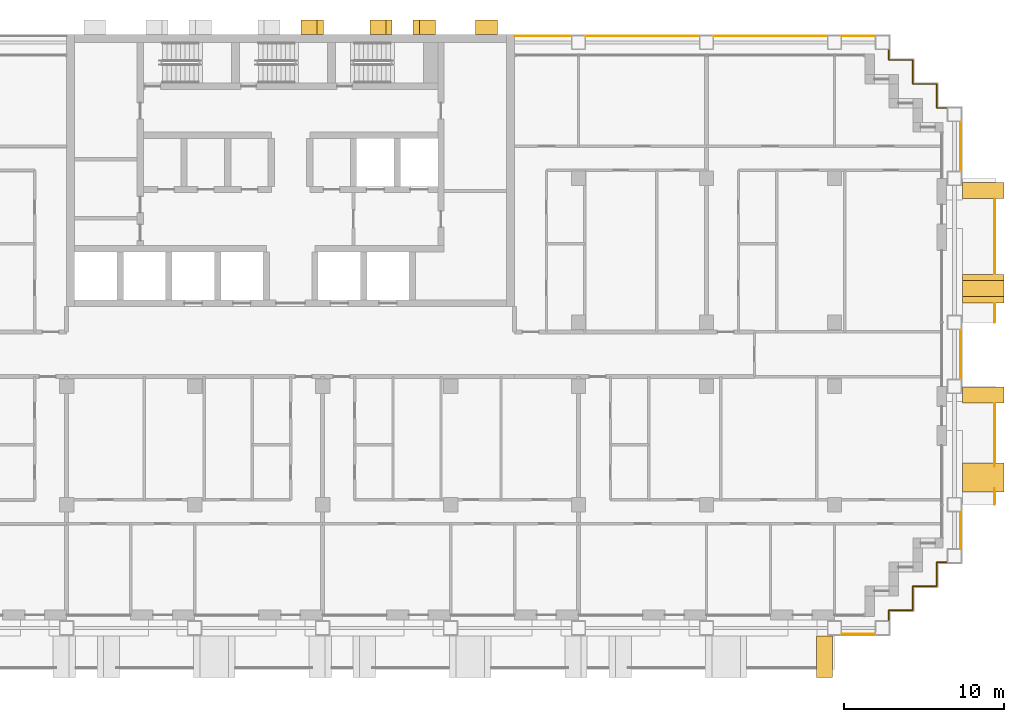
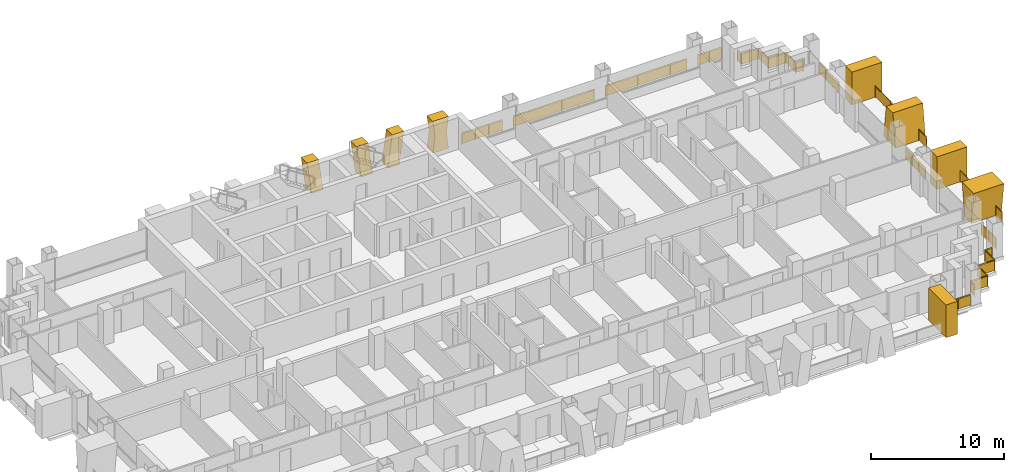
# One storey, part 17 of 17: 14 railings, 9 shading devices.
"""IFC4 building model written with IfcOpenShell, lengths in metres."""

from ifc_helpers import new_model, si_unit, direction, frame, origin, origin_2d, place, context, subcontext, project, spatial, polyline, rectangle, circle, outline, extrude, material, layer, layer_set, type_object, element, save


model = new_model("IFC4")

# Units and contexts
model_context = context("Model", 3, precision=1e-05, world=origin(), true_north=direction((0.0, 1.0)))
body_context = subcontext(model_context, "Body", "Model", "MODEL_VIEW")
ifc_project = project(units=[si_unit("LENGTHUNIT", "METRE"), si_unit("AREAUNIT", "SQUARE_METRE"), si_unit("VOLUMEUNIT", "CUBIC_METRE"), si_unit("PLANEANGLEUNIT", "RADIAN"), si_unit("MASSUNIT", "GRAM", prefix="KILO")], contexts=[model_context])

# Site, building, storey
site_placement = place(None, origin())
site = spatial("IfcSite", under=ifc_project, at=site_placement, CompositionType="ELEMENT")
building_placement = place(site_placement, origin())
building = spatial("IfcBuilding", under=site, at=building_placement, Name="Vidyagriha Tower", CompositionType="ELEMENT")
storey_placement = place(building_placement, frame((0.0, 0.0, 87.10009765625)))
storey = spatial("IfcBuildingStorey", under=building, at=storey_placement, Name="L22", CompositionType="ELEMENT", Elevation=87.10009765625)

# Railings
ifc_material_1 = material(Name="Steel ASTM A500 Grade C black painted", Category="steel")
railing_type_1 = type_object("IfcRailingType", Name="Balcony guard 1100", PredefinedType="BALUSTRADE", material=ifc_material_1)
railing_1_placement = place(storey_placement, frame((44.0, -9.39990234375, 0.0)))
element("IfcRailing", 1, at=railing_1_placement, inside=storey, type_object=railing_type_1, Name="Balcony guard L22 R30.1-1", PredefinedType="BALUSTRADE", context=body_context, shape_type="SweptSolid", body=[
    extrude(circle(Radius=0.02490234375, at=origin_2d()), frame((0.0, 0.0, 1.0751953125), z_axis=(0.0, 1.0, 0.0), x_axis=(-1.0, 0.0, 0.0)), (0.0, 0.0, 1.0), 0.99658203125),
    extrude(circle(Radius=0.02001953125, at=origin_2d()), origin(), (0.0, 0.0, 1.0), 1.050048828125),
    extrude(circle(Radius=0.02001953125, at=origin_2d()), frame((0.0, 0.99658203125, 0.0)), (0.0, 0.0, 1.0), 1.050048828125),
    extrude(rectangle(XDim=0.010009765625, YDim=0.900146484375, at=origin_2d()), frame((0.0, 0.0, 0.550048828125), z_axis=(0.0, 1.0, 0.0), x_axis=(-1.0, 0.0, 0.0)), (0.0, 0.0, 1.0), 0.99658203125),
])
railing_2_placement = place(storey_placement, frame((44.0, -6.99658203125, 0.0)))
element("IfcRailing", 2, at=railing_2_placement, inside=storey, type_object=railing_type_1, Name="Balcony guard L22 R30.1-2", PredefinedType="BALUSTRADE", context=body_context, shape_type="SweptSolid", body=[
    extrude(circle(Radius=0.02490234375, at=origin_2d()), frame((0.0, 0.0, 1.0751953125), z_axis=(0.0, 1.0, 0.0), x_axis=(-1.0, 0.0, 0.0)), (0.0, 0.0, 1.0), 3.896484375),
    extrude(circle(Radius=0.02001953125, at=origin_2d()), origin(), (0.0, 0.0, 1.0), 1.050048828125),
    extrude(circle(Radius=0.02001953125, at=origin_2d()), frame((0.0, 0.97412109375, 0.0)), (0.0, 0.0, 1.0), 1.050048828125),
    extrude(circle(Radius=0.02001953125, at=origin_2d()), frame((0.0, 1.9482421875, 0.0)), (0.0, 0.0, 1.0), 1.050048828125),
    extrude(circle(Radius=0.02001953125, at=origin_2d()), frame((0.0, 2.92236328125, 0.0)), (0.0, 0.0, 1.0), 1.050048828125),
    extrude(circle(Radius=0.02001953125, at=origin_2d()), frame((0.0, 3.896484375, 0.0)), (0.0, 0.0, 1.0), 1.050048828125),
    extrude(rectangle(XDim=0.010009765625, YDim=0.900146484375, at=origin_2d()), frame((0.0, 0.0, 0.550048828125), z_axis=(0.0, 1.0, 0.0), x_axis=(-1.0, 0.0, 0.0)), (0.0, 0.0, 1.0), 3.896484375),
])
railing_3_placement = place(storey_placement, frame((44.0, 2.0, 0.0)))
element("IfcRailing", 3, at=railing_3_placement, inside=storey, type_object=railing_type_1, Name="Balcony guard L22 R30.2-1", PredefinedType="BALUSTRADE", context=body_context, shape_type="SweptSolid", body=[
    extrude(circle(Radius=0.02490234375, at=origin_2d()), frame((0.0, 0.0, 1.0751953125), z_axis=(0.0, 1.0, 0.0), x_axis=(-1.0, 0.0, 0.0)), (0.0, 0.0, 1.0), 1.14990234375),
    extrude(circle(Radius=0.02001953125, at=origin_2d()), origin(), (0.0, 0.0, 1.0), 1.050048828125),
    extrude(circle(Radius=0.02001953125, at=origin_2d()), frame((0.0, 1.14990234375, 0.0)), (0.0, 0.0, 1.0), 1.050048828125),
    extrude(rectangle(XDim=0.010009765625, YDim=0.900146484375, at=origin_2d()), frame((0.0, 0.0, 0.550048828125), z_axis=(0.0, 1.0, 0.0), x_axis=(-1.0, 0.0, 0.0)), (0.0, 0.0, 1.0), 1.14990234375),
])
railing_4_placement = place(storey_placement, frame((44.0, 5.050048828125, 0.0)))
element("IfcRailing", 4, at=railing_4_placement, inside=storey, type_object=railing_type_1, Name="Balcony guard L22 R30.2-2", PredefinedType="BALUSTRADE", context=body_context, shape_type="SweptSolid", body=[
    extrude(circle(Radius=0.02490234375, at=origin_2d()), frame((0.0, 0.0, 1.0751953125), z_axis=(0.0, 1.0, 0.0), x_axis=(-1.0, 0.0, 0.0)), (0.0, 0.0, 1.0), 4.64990234375),
    extrude(circle(Radius=0.02001953125, at=origin_2d()), origin(), (0.0, 0.0, 1.0), 1.050048828125),
    extrude(circle(Radius=0.02001953125, at=origin_2d()), frame((0.0, 1.16259765625, 0.0)), (0.0, 0.0, 1.0), 1.050048828125),
    extrude(circle(Radius=0.02001953125, at=origin_2d()), frame((0.0, 2.324951171875, 0.0)), (0.0, 0.0, 1.0), 1.050048828125),
    extrude(circle(Radius=0.02001953125, at=origin_2d()), frame((0.0, 3.4873046875, 0.0)), (0.0, 0.0, 1.0), 1.050048828125),
    extrude(circle(Radius=0.02001953125, at=origin_2d()), frame((0.0, 4.64990234375, 0.0)), (0.0, 0.0, 1.0), 1.050048828125),
    extrude(rectangle(XDim=0.010009765625, YDim=0.900146484375, at=origin_2d()), frame((0.0, 0.0, 0.550048828125), z_axis=(0.0, 1.0, 0.0), x_axis=(-1.0, 0.0, 0.0)), (0.0, 0.0, 1.0), 4.64990234375),
])

# Shading devices
ifc_material_2 = material(Name="Precast concrete C40/50 with buff brick facing", Category="concrete")
ifc_layer_1 = layer(ifc_material_2, 1.0)
ifc_layer_set_1 = layer_set([ifc_layer_1], Name="Precast concrete C40/50 with buff brick facing")
shading_device_type_1 = type_object("IfcShadingDeviceType", Name="Brick-faced blade fin forking 8 degrees", PredefinedType="USERDEFINED", material=ifc_layer_set_1)
shading_device_1_placement = place(storey_placement, frame((43.300048828125, -8.60009765625, 0.0), z_axis=(0.0, 0.0, 1.0), x_axis=(0.0, 1.0, 0.0)))
element("IfcShadingDevice", 5, at=shading_device_1_placement, inside=storey, type_object=shading_device_type_1, Name="Forked blade fin L22 R30.210a", ObjectType="BLADE FIN", PredefinedType="USERDEFINED", context=body_context, shape_type="SweptSolid", body=[
    extrude(outline(polyline([(0.39990234375, 0.0), (1.39990234375, 0.0), (1.800048828125, 3.0), (0.0, 3.0), (0.39990234375, 0.0)])), frame((0.0, 1.300048828125, 0.0), z_axis=(0.0, -1.0, 0.0), x_axis=(1.0, 0.0, 0.0)), (0.0, 0.0, 1.0), 2.60009765625),
])
shading_device_2_placement = place(storey_placement, frame((43.300048828125, 3.199951171875, 0.0), z_axis=(0.0, 0.0, 1.0), x_axis=(0.0, 1.0, 0.0)))
element("IfcShadingDevice", 6, at=shading_device_2_placement, inside=storey, type_object=shading_device_type_1, Name="Forked blade fin L22 R30.1350a", ObjectType="BLADE FIN", PredefinedType="USERDEFINED", context=body_context, shape_type="SweptSolid", body=[
    extrude(outline(polyline([(0.0, 0.0), (1.800048828125, 0.0), (1.39990234375, 3.0), (0.39990234375, 3.0), (0.0, 0.0)])), frame((0.0, 1.300048828125, 0.0), z_axis=(0.0, -1.0, 0.0), x_axis=(1.0, 0.0, 0.0)), (0.0, 0.0, 1.0), 2.60009765625),
])
ifc_material_3 = material(Name="Precast concrete C40/50 with buff brick facing", Category="concrete")
ifc_layer_2 = layer(ifc_material_3, 1.0)
ifc_layer_set_2 = layer_set([ifc_layer_2], Name="Precast concrete C40/50 with buff brick facing")
shading_device_type_2 = type_object("IfcShadingDeviceType", Name="Brick-faced blade fin stem 1000", PredefinedType="USERDEFINED", material=ifc_layer_set_2)
shading_device_3_placement = place(storey_placement, frame((32.875, -18.89990234375, 0.0)))
element("IfcShadingDevice", 7, at=shading_device_3_placement, inside=storey, type_object=shading_device_type_2, Name="Stem blade fin L22 R23.5790a", ObjectType="BLADE FIN", PredefinedType="USERDEFINED", context=body_context, shape_type="SweptSolid", body=[
    extrude(outline(polyline([(0.0, 0.0), (1.0, 0.0), (1.0, 3.0), (0.0, 3.0), (0.0, 0.0)])), frame((0.0, 1.300048828125, 0.0), z_axis=(0.0, -1.0, 0.0), x_axis=(1.0, 0.0, 0.0)), (0.0, 0.0, 1.0), 2.60009765625),
])
for number, where, z_axis, x_axis, name in (
    (8, (43.300048828125, -3.050048828125, 0.0), (0.0, 0.0, 1.0), (0.0, 1.0, 0.0), "Stem blade fin L22 R30.950a"),
    (9, (43.300048828125, 9.75, 0.0), (0.0, 0.0, 1.0), (0.0, 1.0, 0.0), "Stem blade fin L22 R30.2250a"),
):
    element("IfcShadingDevice", number, at=place(storey_placement, frame(where, z_axis=z_axis, x_axis=x_axis)), inside=storey, type_object=shading_device_type_2, Name=name, ObjectType="BLADE FIN", PredefinedType="USERDEFINED", context=body_context, shape_type="SweptSolid", body=[
        extrude(outline(polyline([(0.0, 0.0), (1.0, 0.0), (1.0, 3.0), (0.0, 3.0), (0.0, 0.0)])), frame((0.0, 1.300048828125, 0.0), z_axis=(0.0, -1.0, 0.0), x_axis=(1.0, 0.0, 0.0)), (0.0, 0.0, 1.0), 2.60009765625),
    ])
ifc_material_4 = material(Name="Precast concrete C40/50 with brick facing", Category="concrete")
ifc_layer_3 = layer(ifc_material_4, 1.0)
ifc_layer_set_3 = layer_set([ifc_layer_3], Name="Precast concrete C40/50 with brick facing")
shading_device_type_3 = type_object("IfcShadingDeviceType", Name="Brick-faced rear rib arm leaning 8 degrees", PredefinedType="USERDEFINED", material=ifc_layer_set_3)
shading_device_4_placement = place(storey_placement, frame((6.343017578125, 20.449951171875, 0.0), z_axis=(0.0, 0.0, 1.0), x_axis=(-1.0, 0.0, 0.0)))
element("IfcShadingDevice", 10, at=shading_device_4_placement, inside=storey, type_object=shading_device_type_3, Name="Rear rib arm L22 R08.2a", ObjectType="BLADE FIN", PredefinedType="USERDEFINED", context=body_context, shape_type="SweptSolid", body=[
    extrude(outline(polyline([(0.0, 0.0), (1.0, 0.0), (1.3857421875, 2.919921875), (0.3857421875, 2.919921875), (0.0, 0.0)])), frame((0.0, 0.449951171875, 0.0), z_axis=(0.0, -1.0, 0.0), x_axis=(1.0, 0.0, 0.0)), (0.0, 0.0, 1.0), 0.89990234375),
])
shading_device_5_placement = place(storey_placement, frame((9.04296875, 20.449951171875, 0.0), z_axis=(0.0, 0.0, 1.0), x_axis=(-1.0, 0.0, 0.0)))
element("IfcShadingDevice", 11, at=shading_device_5_placement, inside=storey, type_object=shading_device_type_3, Name="Rear rib arm L22 R08.2b", ObjectType="BLADE FIN", PredefinedType="USERDEFINED", context=body_context, shape_type="SweptSolid", body=[
    extrude(outline(polyline([(0.3857421875, 0.0), (1.3857421875, 0.0), (1.0, 2.919921875), (0.0, 2.919921875), (0.3857421875, 0.0)])), frame((0.0, 0.449951171875, 0.0), z_axis=(0.0, -1.0, 0.0), x_axis=(1.0, 0.0, 0.0)), (0.0, 0.0, 1.0), 0.89990234375),
])
shading_device_6_placement = place(storey_placement, frame((2.04296875, 20.449951171875, 0.0), z_axis=(0.0, 0.0, 1.0), x_axis=(-1.0, 0.0, 0.0)))
element("IfcShadingDevice", 12, at=shading_device_6_placement, inside=storey, type_object=shading_device_type_3, Name="Rear rib arm L22 R08.3a", ObjectType="BLADE FIN", PredefinedType="USERDEFINED", context=body_context, shape_type="SweptSolid", body=[
    extrude(outline(polyline([(0.0, 0.0), (1.0, 0.0), (1.3857421875, 2.919921875), (0.3857421875, 2.919921875), (0.0, 0.0)])), frame((0.0, 0.449951171875, 0.0), z_axis=(0.0, -1.0, 0.0), x_axis=(1.0, 0.0, 0.0)), (0.0, 0.0, 1.0), 0.89990234375),
])
ifc_material_5 = material(Name="Precast concrete C40/50 with brick facing", Category="concrete")
ifc_layer_4 = layer(ifc_material_5, 1.0)
ifc_layer_set_4 = layer_set([ifc_layer_4], Name="Precast concrete C40/50 with brick facing")
shading_device_type_4 = type_object("IfcShadingDeviceType", Name="Brick-faced rear rib forking 8 degrees", PredefinedType="USERDEFINED", material=ifc_layer_set_4)
shading_device_7_placement = place(storey_placement, frame((12.9287109375, 20.449951171875, 0.0), z_axis=(0.0, 0.0, 1.0), x_axis=(-1.0, 0.0, 0.0)))
element("IfcShadingDevice", 13, at=shading_device_7_placement, inside=storey, type_object=shading_device_type_4, Name="Rear rib fork L22 R08.1a", ObjectType="BLADE FIN", PredefinedType="USERDEFINED", context=body_context, shape_type="SweptSolid", body=[
    extrude(outline(polyline([(0.0, 0.0), (1.357177734375, 0.0), (1.1787109375, 1.4599609375), (1.357177734375, 2.919921875), (0.0, 2.919921875), (0.1787109375, 1.4599609375), (0.0, 0.0)])), frame((0.0, 0.449951171875, 0.0), z_axis=(0.0, -1.0, 0.0), x_axis=(1.0, 0.0, 0.0)), (0.0, 0.0, 1.0), 0.89990234375),
])

# Railings
ifc_material_6 = material(Name="Steel ASTM A500 Grade C black painted", Category="steel")
railing_type_2 = type_object("IfcRailingType", Name="Gallery guard 1100", PredefinedType="GUARDRAIL", material=ifc_material_6)
railing_5_placement = place(storey_placement, frame((14.030029296875, 19.89990234375, 0.0)))
element("IfcRailing", 14, at=railing_5_placement, inside=storey, type_object=railing_type_2, Name="Gallery guard L22 9", PredefinedType="GUARDRAIL", context=body_context, shape_type="SweptSolid", body=[
    extrude(circle(Radius=0.02490234375, at=origin_2d()), frame((0.0, 0.0, 1.0751953125), z_axis=(1.0, 0.0, 0.0), x_axis=(0.0, 1.0, 0.0)), (0.0, 0.0, 1.0), 3.489990234375),
    extrude(circle(Radius=0.02001953125, at=origin_2d()), origin(), (0.0, 0.0, 1.0), 1.050048828125),
    extrude(circle(Radius=0.02001953125, at=origin_2d()), frame((1.163330078125, 0.0, 0.0)), (0.0, 0.0, 1.0), 1.050048828125),
    extrude(circle(Radius=0.02001953125, at=origin_2d()), frame((2.32666015625, 0.0, 0.0)), (0.0, 0.0, 1.0), 1.050048828125),
    extrude(circle(Radius=0.02001953125, at=origin_2d()), frame((3.489990234375, 0.0, 0.0)), (0.0, 0.0, 1.0), 1.050048828125),
    extrude(rectangle(XDim=0.010009765625, YDim=0.900146484375, at=origin_2d()), frame((0.0, 0.0, 0.550048828125), z_axis=(1.0, 0.0, 0.0), x_axis=(0.0, 1.0, 0.0)), (0.0, 0.0, 1.0), 3.489990234375),
])
for number, where, name in (
    (15, (18.47998046875, 19.89990234375, 0.0), "Gallery guard L22 10"),
    (16, (26.47998046875, 19.89990234375, 0.0), "Gallery guard L22 11"),
):
    element("IfcRailing", number, at=place(storey_placement, frame(where)), inside=storey, type_object=railing_type_2, Name=name, PredefinedType="GUARDRAIL", context=body_context, shape_type="SweptSolid", body=[
        extrude(circle(Radius=0.02490234375, at=origin_2d()), frame((0.0, 0.0, 1.0751953125), z_axis=(1.0, 0.0, 0.0), x_axis=(0.0, 1.0, 0.0)), (0.0, 0.0, 1.0), 7.0400390625),
        extrude(circle(Radius=0.02001953125, at=origin_2d()), origin(), (0.0, 0.0, 1.0), 1.050048828125),
        extrude(circle(Radius=0.02001953125, at=origin_2d()), frame((1.407958984375, 0.0, 0.0)), (0.0, 0.0, 1.0), 1.050048828125),
        extrude(circle(Radius=0.02001953125, at=origin_2d()), frame((2.81591796875, 0.0, 0.0)), (0.0, 0.0, 1.0), 1.050048828125),
        extrude(circle(Radius=0.02001953125, at=origin_2d()), frame((4.22412109375, 0.0, 0.0)), (0.0, 0.0, 1.0), 1.050048828125),
        extrude(circle(Radius=0.02001953125, at=origin_2d()), frame((5.632080078125, 0.0, 0.0)), (0.0, 0.0, 1.0), 1.050048828125),
        extrude(circle(Radius=0.02001953125, at=origin_2d()), frame((7.0400390625, 0.0, 0.0)), (0.0, 0.0, 1.0), 1.050048828125),
        extrude(rectangle(XDim=0.010009765625, YDim=0.900146484375, at=origin_2d()), frame((0.0, 0.0, 0.550048828125), z_axis=(1.0, 0.0, 0.0), x_axis=(0.0, 1.0, 0.0)), (0.0, 0.0, 1.0), 7.0400390625),
    ])
railing_6_placement = place(storey_placement, frame((36.52001953125, -17.5, 0.0)))
element("IfcRailing", 17, at=railing_6_placement, inside=storey, type_object=railing_type_2, Name="Gallery guard L22 12", PredefinedType="GUARDRAIL", context=body_context, shape_type="SweptSolid", body=[
    extrude(circle(Radius=0.02490234375, at=origin_2d()), frame((0.0, 0.0, 1.0751953125), z_axis=(-1.0, 0.0, 0.0), x_axis=(0.0, -1.0, 0.0)), (0.0, 0.0, 1.0), 2.0400390625),
    extrude(circle(Radius=0.02001953125, at=origin_2d()), origin(), (0.0, 0.0, 1.0), 1.050048828125),
    extrude(circle(Radius=0.02001953125, at=origin_2d()), frame((-1.02001953125, 0.0, 0.0)), (0.0, 0.0, 1.0), 1.050048828125),
    extrude(circle(Radius=0.02001953125, at=origin_2d()), frame((-2.0400390625, 0.0, 0.0)), (0.0, 0.0, 1.0), 1.050048828125),
    extrude(rectangle(XDim=0.010009765625, YDim=0.900146484375, at=origin_2d()), frame((0.0, 0.0, 0.550048828125), z_axis=(-1.0, 0.0, 0.0), x_axis=(0.0, -1.0, 0.0)), (0.0, 0.0, 1.0), 2.0400390625),
])
railing_7_placement = place(storey_placement, frame((34.47998046875, 19.89990234375, 0.0)))
element("IfcRailing", 18, at=railing_7_placement, inside=storey, type_object=railing_type_2, Name="Gallery guard L22 13", PredefinedType="GUARDRAIL", context=body_context, shape_type="SweptSolid", body=[
    extrude(circle(Radius=0.02490234375, at=origin_2d()), frame((0.0, 0.0, 1.0751953125), z_axis=(1.0, 0.0, 0.0), x_axis=(0.0, 1.0, 0.0)), (0.0, 0.0, 1.0), 2.0400390625),
    extrude(circle(Radius=0.02001953125, at=origin_2d()), origin(), (0.0, 0.0, 1.0), 1.050048828125),
    extrude(circle(Radius=0.02001953125, at=origin_2d()), frame((1.02001953125, 0.0, 0.0)), (0.0, 0.0, 1.0), 1.050048828125),
    extrude(circle(Radius=0.02001953125, at=origin_2d()), frame((2.0400390625, 0.0, 0.0)), (0.0, 0.0, 1.0), 1.050048828125),
    extrude(rectangle(XDim=0.010009765625, YDim=0.900146484375, at=origin_2d()), frame((0.0, 0.0, 0.550048828125), z_axis=(1.0, 0.0, 0.0), x_axis=(0.0, 1.0, 0.0)), (0.0, 0.0, 1.0), 2.0400390625),
])
railing_8_placement = place(storey_placement, frame((41.02001953125, -13.0, 0.0)))
element("IfcRailing", 19, at=railing_8_placement, inside=storey, type_object=railing_type_2, Name="Gallery guard L22 14", PredefinedType="GUARDRAIL", context=body_context, shape_type="SweptSolid", body=[
    extrude(circle(Radius=0.02490234375, at=origin_2d()), frame((0.0, 0.0, 1.0751953125), z_axis=(-1.0, 0.0, 0.0), x_axis=(0.0, -1.0, 0.0)), (0.0, 0.0, 1.0), 0.6201171875),
    extrude(circle(Radius=0.02490234375, at=origin_2d()), frame((-0.6201171875, 0.0, 1.0751953125), z_axis=(0.0, -1.0, 0.0), x_axis=(1.0, 0.0, 0.0)), (0.0, 0.0, 1.0), 1.5),
    extrude(circle(Radius=0.02490234375, at=origin_2d()), frame((-0.6201171875, -1.5, 1.0751953125), z_axis=(-1.0, 0.0, 0.0), x_axis=(0.0, -1.0, 0.0)), (0.0, 0.0, 1.0), 1.5),
    extrude(circle(Radius=0.02490234375, at=origin_2d()), frame((-2.1201171875, -1.5, 1.0751953125), z_axis=(0.0, -1.0, 0.0), x_axis=(1.0, 0.0, 0.0)), (0.0, 0.0, 1.0), 1.5),
    extrude(circle(Radius=0.02490234375, at=origin_2d()), frame((-2.1201171875, -3.0, 1.0751953125), z_axis=(-1.0, 0.0, 0.0), x_axis=(0.0, -1.0, 0.0)), (0.0, 0.0, 1.0), 1.5),
    extrude(circle(Radius=0.02490234375, at=origin_2d()), frame((-3.6201171875, -3.0, 1.0751953125), z_axis=(0.0, -1.0, 0.0), x_axis=(1.0, 0.0, 0.0)), (0.0, 0.0, 1.0), 0.6201171875),
    extrude(circle(Radius=0.02001953125, at=origin_2d()), origin(), (0.0, 0.0, 1.0), 1.050048828125),
    extrude(circle(Radius=0.02001953125, at=origin_2d()), frame((-0.6201171875, 0.0, 0.0)), (0.0, 0.0, 1.0), 1.050048828125),
    extrude(circle(Radius=0.02001953125, at=origin_2d()), frame((-0.6201171875, -1.5, 0.0)), (0.0, 0.0, 1.0), 1.050048828125),
    extrude(circle(Radius=0.02001953125, at=origin_2d()), frame((-2.1201171875, -1.5, 0.0)), (0.0, 0.0, 1.0), 1.050048828125),
    extrude(circle(Radius=0.02001953125, at=origin_2d()), frame((-2.1201171875, -3.0, 0.0)), (0.0, 0.0, 1.0), 1.050048828125),
    extrude(circle(Radius=0.02001953125, at=origin_2d()), frame((-3.6201171875, -3.0, 0.0)), (0.0, 0.0, 1.0), 1.050048828125),
    extrude(circle(Radius=0.02001953125, at=origin_2d()), frame((-3.6201171875, -3.6201171875, 0.0)), (0.0, 0.0, 1.0), 1.050048828125),
    extrude(rectangle(XDim=0.010009765625, YDim=0.900146484375, at=origin_2d()), frame((0.0, 0.0, 0.550048828125), z_axis=(-1.0, 0.0, 0.0), x_axis=(0.0, -1.0, 0.0)), (0.0, 0.0, 1.0), 0.6201171875),
    extrude(rectangle(XDim=0.010009765625, YDim=0.900146484375, at=origin_2d()), frame((-0.6201171875, 0.0, 0.550048828125), z_axis=(0.0, -1.0, 0.0), x_axis=(1.0, 0.0, 0.0)), (0.0, 0.0, 1.0), 1.5),
    extrude(rectangle(XDim=0.010009765625, YDim=0.900146484375, at=origin_2d()), frame((-0.6201171875, -1.5, 0.550048828125), z_axis=(-1.0, 0.0, 0.0), x_axis=(0.0, -1.0, 0.0)), (0.0, 0.0, 1.0), 1.5),
    extrude(rectangle(XDim=0.010009765625, YDim=0.900146484375, at=origin_2d()), frame((-2.1201171875, -1.5, 0.550048828125), z_axis=(0.0, -1.0, 0.0), x_axis=(1.0, 0.0, 0.0)), (0.0, 0.0, 1.0), 1.5),
    extrude(rectangle(XDim=0.010009765625, YDim=0.900146484375, at=origin_2d()), frame((-2.1201171875, -3.0, 0.550048828125), z_axis=(-1.0, 0.0, 0.0), x_axis=(0.0, -1.0, 0.0)), (0.0, 0.0, 1.0), 1.5),
    extrude(rectangle(XDim=0.010009765625, YDim=0.900146484375, at=origin_2d()), frame((-3.6201171875, -3.0, 0.550048828125), z_axis=(0.0, -1.0, 0.0), x_axis=(1.0, 0.0, 0.0)), (0.0, 0.0, 1.0), 0.6201171875),
])
railing_9_placement = place(storey_placement, frame((37.39990234375, 19.02001953125, 0.0)))
element("IfcRailing", 20, at=railing_9_placement, inside=storey, type_object=railing_type_2, Name="Gallery guard L22 15", PredefinedType="GUARDRAIL", context=body_context, shape_type="SweptSolid", body=[
    extrude(circle(Radius=0.02490234375, at=origin_2d()), frame((0.0, 0.0, 1.0751953125), z_axis=(0.0, -1.0, 0.0), x_axis=(1.0, 0.0, 0.0)), (0.0, 0.0, 1.0), 0.6201171875),
    extrude(circle(Radius=0.02490234375, at=origin_2d()), frame((0.0, -0.6201171875, 1.0751953125), z_axis=(1.0, 0.0, 0.0), x_axis=(0.0, 1.0, 0.0)), (0.0, 0.0, 1.0), 1.5),
    extrude(circle(Radius=0.02490234375, at=origin_2d()), frame((1.5, -0.6201171875, 1.0751953125), z_axis=(0.0, -1.0, 0.0), x_axis=(1.0, 0.0, 0.0)), (0.0, 0.0, 1.0), 1.5),
    extrude(circle(Radius=0.02490234375, at=origin_2d()), frame((1.5, -2.1201171875, 1.0751953125), z_axis=(1.0, 0.0, 0.0), x_axis=(0.0, 1.0, 0.0)), (0.0, 0.0, 1.0), 1.5),
    extrude(circle(Radius=0.02490234375, at=origin_2d()), frame((3.0, -2.1201171875, 1.0751953125), z_axis=(0.0, -1.0, 0.0), x_axis=(1.0, 0.0, 0.0)), (0.0, 0.0, 1.0), 1.5),
    extrude(circle(Radius=0.02490234375, at=origin_2d()), frame((3.0, -3.6201171875, 1.0751953125), z_axis=(1.0, 0.0, 0.0), x_axis=(0.0, 1.0, 0.0)), (0.0, 0.0, 1.0), 0.6201171875),
    extrude(circle(Radius=0.02001953125, at=origin_2d()), origin(), (0.0, 0.0, 1.0), 1.050048828125),
    extrude(circle(Radius=0.02001953125, at=origin_2d()), frame((0.0, -0.6201171875, 0.0)), (0.0, 0.0, 1.0), 1.050048828125),
    extrude(circle(Radius=0.02001953125, at=origin_2d()), frame((1.5, -0.6201171875, 0.0)), (0.0, 0.0, 1.0), 1.050048828125),
    extrude(circle(Radius=0.02001953125, at=origin_2d()), frame((1.5, -2.1201171875, 0.0)), (0.0, 0.0, 1.0), 1.050048828125),
    extrude(circle(Radius=0.02001953125, at=origin_2d()), frame((3.0, -2.1201171875, 0.0)), (0.0, 0.0, 1.0), 1.050048828125),
    extrude(circle(Radius=0.02001953125, at=origin_2d()), frame((3.0, -3.6201171875, 0.0)), (0.0, 0.0, 1.0), 1.050048828125),
    extrude(circle(Radius=0.02001953125, at=origin_2d()), frame((3.6201171875, -3.6201171875, 0.0)), (0.0, 0.0, 1.0), 1.050048828125),
    extrude(rectangle(XDim=0.010009765625, YDim=0.900146484375, at=origin_2d()), frame((0.0, 0.0, 0.550048828125), z_axis=(0.0, -1.0, 0.0), x_axis=(1.0, 0.0, 0.0)), (0.0, 0.0, 1.0), 0.6201171875),
    extrude(rectangle(XDim=0.010009765625, YDim=0.900146484375, at=origin_2d()), frame((0.0, -0.6201171875, 0.550048828125), z_axis=(1.0, 0.0, 0.0), x_axis=(0.0, 1.0, 0.0)), (0.0, 0.0, 1.0), 1.5),
    extrude(rectangle(XDim=0.010009765625, YDim=0.900146484375, at=origin_2d()), frame((1.5, -0.6201171875, 0.550048828125), z_axis=(0.0, -1.0, 0.0), x_axis=(1.0, 0.0, 0.0)), (0.0, 0.0, 1.0), 1.5),
    extrude(rectangle(XDim=0.010009765625, YDim=0.900146484375, at=origin_2d()), frame((1.5, -2.1201171875, 0.550048828125), z_axis=(1.0, 0.0, 0.0), x_axis=(0.0, 1.0, 0.0)), (0.0, 0.0, 1.0), 1.5),
    extrude(rectangle(XDim=0.010009765625, YDim=0.900146484375, at=origin_2d()), frame((3.0, -2.1201171875, 0.550048828125), z_axis=(0.0, -1.0, 0.0), x_axis=(1.0, 0.0, 0.0)), (0.0, 0.0, 1.0), 1.5),
    extrude(rectangle(XDim=0.010009765625, YDim=0.900146484375, at=origin_2d()), frame((3.0, -3.6201171875, 0.550048828125), z_axis=(1.0, 0.0, 0.0), x_axis=(0.0, 1.0, 0.0)), (0.0, 0.0, 1.0), 0.6201171875),
])
railing_10_placement = place(storey_placement, frame((41.89990234375, -9.8798828125, 0.0)))
element("IfcRailing", 21, at=railing_10_placement, inside=storey, type_object=railing_type_2, Name="Gallery guard L22 16", PredefinedType="GUARDRAIL", context=body_context, shape_type="SweptSolid", body=[
    extrude(circle(Radius=0.02490234375, at=origin_2d()), frame((0.0, 0.0, 1.0751953125), z_axis=(0.0, -1.0, 0.0), x_axis=(1.0, 0.0, 0.0)), (0.0, 0.0, 1.0), 2.240234375),
    extrude(circle(Radius=0.02001953125, at=origin_2d()), origin(), (0.0, 0.0, 1.0), 1.050048828125),
    extrude(circle(Radius=0.02001953125, at=origin_2d()), frame((0.0, -1.1201171875, 0.0)), (0.0, 0.0, 1.0), 1.050048828125),
    extrude(circle(Radius=0.02001953125, at=origin_2d()), frame((0.0, -2.240234375, 0.0)), (0.0, 0.0, 1.0), 1.050048828125),
    extrude(rectangle(XDim=0.010009765625, YDim=0.900146484375, at=origin_2d()), frame((0.0, 0.0, 0.550048828125), z_axis=(0.0, -1.0, 0.0), x_axis=(1.0, 0.0, 0.0)), (0.0, 0.0, 1.0), 2.240234375),
])
for number, where, name in (
    (22, (41.89990234375, 1.52001953125, 0.0), "Gallery guard L22 17"),
    (23, (41.89990234375, 14.52001953125, 0.0), "Gallery guard L22 18"),
):
    element("IfcRailing", number, at=place(storey_placement, frame(where)), inside=storey, type_object=railing_type_2, Name=name, PredefinedType="GUARDRAIL", context=body_context, shape_type="SweptSolid", body=[
        extrude(circle(Radius=0.02490234375, at=origin_2d()), frame((0.0, 0.0, 1.0751953125), z_axis=(0.0, -1.0, 0.0), x_axis=(1.0, 0.0, 0.0)), (0.0, 0.0, 1.0), 3.0400390625),
        extrude(circle(Radius=0.02001953125, at=origin_2d()), origin(), (0.0, 0.0, 1.0), 1.050048828125),
        extrude(circle(Radius=0.02001953125, at=origin_2d()), frame((0.0, -1.013427734375, 0.0)), (0.0, 0.0, 1.0), 1.050048828125),
        extrude(circle(Radius=0.02001953125, at=origin_2d()), frame((0.0, -2.026611328125, 0.0)), (0.0, 0.0, 1.0), 1.050048828125),
        extrude(circle(Radius=0.02001953125, at=origin_2d()), frame((0.0, -3.0400390625, 0.0)), (0.0, 0.0, 1.0), 1.050048828125),
        extrude(rectangle(XDim=0.010009765625, YDim=0.900146484375, at=origin_2d()), frame((0.0, 0.0, 0.550048828125), z_axis=(0.0, -1.0, 0.0), x_axis=(1.0, 0.0, 0.0)), (0.0, 0.0, 1.0), 3.0400390625),
    ])

save(model, "model.ifc")
